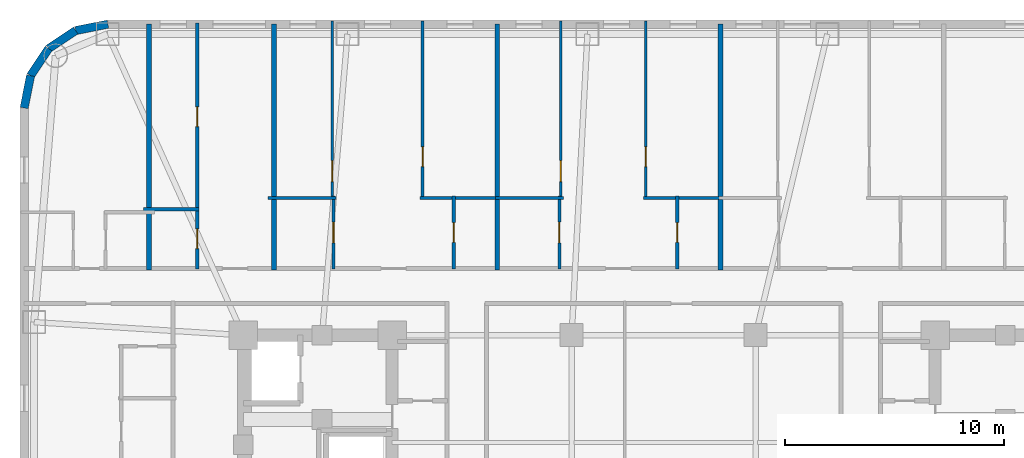
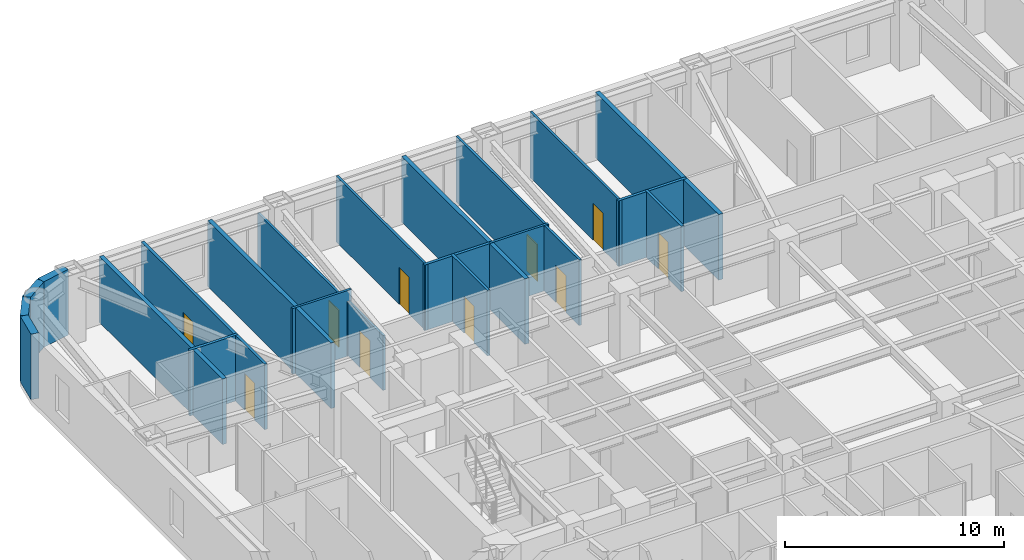
# One storey, part 12 of 16: 23 walls, 10 doors, 10 openings.
"""IFC4 building model written with IfcOpenShell, lengths in metres."""

import ifcopenshell
import ifcopenshell.guid

model = None  # the IFC model being written
_history = None  # IfcOwnerHistory: only IFC2X3 demands one
_inside = {}  # id of a spatial element -> (the spatial element, [elements in it])
_under = {}  # id of a project, library or spatial element -> (it, [spatial elements below it])
_declared = {}  # id of a project -> (the project, [libraries it declares])
_typed = {}  # id of a type object -> (the type object, [elements of that type])
_made_of = {}  # id of a material, layer set ... -> (it, [elements and type objects made of it])


def new_model(schema):
    """Start an empty IFC model of exactly this schema.

    Asked for "IFC4X3", IfcOpenShell would pick the latest addendum, in which some entities
    have other attributes; the version numbers below select the first issue.
    IFC2X3 requires an IfcOwnerHistory on every rooted entity: one is made here for all.
    """
    global model, _history
    if schema == "IFC4X3":
        model = ifcopenshell.file(schema_version=(4, 3, 0, 0))
    else:
        model = ifcopenshell.file(schema=schema)
    _inside.clear()
    _under.clear()
    _declared.clear()
    _typed.clear()
    _made_of.clear()
    _history = None
    if model.schema == "IFC2X3":
        org = make("IfcOrganization", Name="unknown")
        user = make(
            "IfcPersonAndOrganization",
            ThePerson=make("IfcPerson", FamilyName="unknown"),
            TheOrganization=org,
        )
        app = make(
            "IfcApplication",
            ApplicationDeveloper=org,
            Version="unknown",
            ApplicationFullName="unknown",
            ApplicationIdentifier="unknown",
        )
        _history = make(
            "IfcOwnerHistory",
            OwningUser=user,
            OwningApplication=app,
            ChangeAction="ADDED",
            CreationDate=0,
        )
    return model


def make(cls, **values):
    """One entity of the class cls with the attributes given. An attribute that is None is left unset."""
    return model.create_entity(
        cls, **{name: value for name, value in values.items() if value is not None}
    )


def rooted(cls, **values):
    """An entity with a GlobalId (a new one), such as an element, a storey or a relation."""
    return make(cls, GlobalId=ifcopenshell.guid.new(), OwnerHistory=_history, **values)


def si_unit(unit_type, name, prefix=None):
    """IfcSIUnit, for example si_unit("LENGTHUNIT", "METRE", prefix="MILLI")."""
    return make("IfcSIUnit", UnitType=unit_type, Prefix=prefix, Name=name)


def assignment(units):
    """IfcUnitAssignment: the units of a project."""
    return None if units is None else make("IfcUnitAssignment", Units=units)


def point(xyz):
    """IfcCartesianPoint."""
    return None if xyz is None else make("IfcCartesianPoint", Coordinates=xyz)


def direction(xyz):
    """IfcDirection."""
    return None if xyz is None else make("IfcDirection", DirectionRatios=xyz)


def frame(location, z_axis=None, x_axis=None):
    """IfcAxis2Placement3D, a coordinate frame: its origin and axes. An axis left out is left unset."""
    return make(
        "IfcAxis2Placement3D",
        Location=point(location),
        Axis=direction(z_axis),
        RefDirection=direction(x_axis),
    )


def frame_2d(location, x_axis=None):
    """IfcAxis2Placement2D, a coordinate frame in the plane: its origin and x axis."""
    return make(
        "IfcAxis2Placement2D", Location=point(location), RefDirection=direction(x_axis)
    )


def origin():
    """The frame at (0, 0, 0) with its axes left unset."""
    return frame((0.0, 0.0, 0.0))


def place(relative_to, where):
    """IfcLocalPlacement: puts the frame where relative to a parent placement (None: the world)."""
    return make(
        "IfcLocalPlacement", PlacementRelTo=relative_to, RelativePlacement=where
    )


def context(
    kind, dimensions, precision=None, world=None, true_north=None, identifier=None
):
    """IfcGeometricRepresentationContext, for example the 3D "Model" context."""
    return make(
        "IfcGeometricRepresentationContext",
        ContextIdentifier=identifier,
        ContextType=kind,
        CoordinateSpaceDimension=dimensions,
        Precision=precision,
        WorldCoordinateSystem=world,
        TrueNorth=true_north,
    )


def subcontext(parent, identifier, kind, view, scale=None):
    """IfcGeometricRepresentationSubContext, for example "Body" below "Model"."""
    return make(
        "IfcGeometricRepresentationSubContext",
        ContextIdentifier=identifier,
        ContextType=kind,
        ParentContext=parent,
        TargetScale=scale,
        TargetView=view,
    )


def project(units=None, contexts=None):
    """IfcProject with its units and contexts."""
    return rooted(
        "IfcProject",
        Name="project",
        RepresentationContexts=contexts,
        UnitsInContext=assignment(units),
    )


def spatial(cls, under=None, at=None, **own):
    """A site, building, storey or space (cls), placed at a placement, below another one or the project."""
    s = rooted(cls, ObjectPlacement=at, **own)
    if under is not None:
        _under.setdefault(under.id(), (under, []))[1].append(s)
    return s


def profile(cls, at=None, kind="AREA", **sizes):
    """A parametric profile (cls). Its sizes go by their IFC names, for example OverallWidth=200.0."""
    return make(cls, ProfileType=kind, Position=at, **sizes)


def rectangle(**sizes):
    """IfcRectangleProfileDef."""
    return profile("IfcRectangleProfileDef", **sizes)


def extrude(swept, where, along, depth):
    """IfcExtrudedAreaSolid: the profile swept, set in the frame where, extruded along a direction by depth."""
    return make(
        "IfcExtrudedAreaSolid",
        SweptArea=swept,
        Position=where,
        ExtrudedDirection=direction(along),
        Depth=depth,
    )


def shape(context_of_items, identifier, shape_type, items):
    """IfcShapeRepresentation: the items that make up one representation, for example the "Body"."""
    return make(
        "IfcShapeRepresentation",
        ContextOfItems=context_of_items,
        RepresentationIdentifier=identifier,
        RepresentationType=shape_type,
        Items=items,
    )


def material(Name=None, Category=None):
    """IfcMaterial."""
    return make("IfcMaterial", Name=Name, Category=Category)


def layer(
    of_material, thickness, ventilated=None, Name=None, Category=None, Priority=None
):
    """IfcMaterialLayer: one layer of a wall or slab, of a material (None: an air gap)."""
    return make(
        "IfcMaterialLayer",
        Material=of_material,
        LayerThickness=thickness,
        IsVentilated=ventilated,
        Name=Name,
        Category=Category,
        Priority=Priority,
    )


def layer_set(layers, Name=None):
    """IfcMaterialLayerSet."""
    return make("IfcMaterialLayerSet", MaterialLayers=layers, LayerSetName=Name)


def made_of(thing, what):
    """Note that an element or type object is made of a material, layer set ...; save() writes the relation."""
    if what is not None:
        _made_of.setdefault(what.id(), (what, []))[1].append(thing)
    return thing


def type_object(cls, material=None, **own):
    """A type object (cls), such as IfcWallType, which elements share."""
    return made_of(rooted(cls, **own), material)


def element(
    cls,
    number,
    at=None,
    inside=None,
    cuts=None,
    type_object=None,
    material=None,
    context=None,
    identifier="Body",
    shape_type=None,
    held_by="IfcProductDefinitionShape",
    body=None,
    shapes=None,
    **own,
):
    """One element of the class cls, such as IfcWall. Its Tag is "e" and its number.

    at: its placement. inside: the storey or other place that contains it. cuts: it is an
    opening in that element (IfcRelVoidsElement). A single representation is given by context,
    identifier, shape_type and body (its items); several are given by shapes. held_by: the class
    of the entity that holds the representations. save() writes the other relations.
    """
    e = rooted(cls, Tag="e%d" % number, ObjectPlacement=at, **own)
    if body is not None:
        shapes = [shape(context, identifier, shape_type, body)]
    if shapes is not None:
        e.Representation = make(held_by, Representations=shapes)
    if inside is not None:
        _inside.setdefault(inside.id(), (inside, []))[1].append(e)
    if cuts is not None:
        rooted(
            "IfcRelVoidsElement", RelatingBuildingElement=cuts, RelatedOpeningElement=e
        )
    if type_object is not None:
        _typed.setdefault(type_object.id(), (type_object, []))[1].append(e)
    return made_of(e, material)


def fill(opening, filler):
    """IfcRelFillsElement: the door or window that sits in an opening."""
    return rooted(
        "IfcRelFillsElement",
        RelatingOpeningElement=opening,
        RelatedBuildingElement=filler,
    )


def aggregate(whole, parts):
    """IfcRelAggregates: a whole, such as a stair, and the parts it consists of."""
    return rooted("IfcRelAggregates", RelatingObject=whole, RelatedObjects=parts)


def save(model, path):
    """Write the relations noted so far, then the file.

    IfcRelAggregates (storeys below a building ...), IfcRelContainedInSpatialStructure (elements
    in a storey), IfcRelDefinesByType, IfcRelAssociatesMaterial and IfcRelDeclares: one each for
    every whole, place, type object, material and project.
    """
    for whole, parts in _under.values():
        aggregate(whole, parts)
    for where, things in _inside.values():
        rooted(
            "IfcRelContainedInSpatialStructure",
            RelatedElements=things,
            RelatingStructure=where,
        )
    for kind, things in _typed.values():
        rooted("IfcRelDefinesByType", RelatedObjects=things, RelatingType=kind)
    for what, things in _made_of.values():
        rooted("IfcRelAssociatesMaterial", RelatedObjects=things, RelatingMaterial=what)
    for by, libraries in _declared.values():
        rooted("IfcRelDeclares", RelatingContext=by, RelatedDefinitions=libraries)
    model.write(path)


model = new_model("IFC4")

# Units and contexts
model_context = context("Model", 3, precision=1e-05, world=origin(), true_north=direction((0.0, 1.0)))
body_context = subcontext(model_context, "Body", "Model", "MODEL_VIEW")
ifc_project = project(units=[si_unit("LENGTHUNIT", "METRE"), si_unit("AREAUNIT", "SQUARE_METRE"), si_unit("VOLUMEUNIT", "CUBIC_METRE"), si_unit("PLANEANGLEUNIT", "RADIAN"), si_unit("MASSUNIT", "GRAM", prefix="KILO")], contexts=[model_context])

# Site, building, storey
site_placement = place(None, origin())
site = spatial("IfcSite", under=ifc_project, at=site_placement, CompositionType="ELEMENT")
building_placement = place(site_placement, origin())
building = spatial("IfcBuilding", under=site, at=building_placement, Name="Voryun Gate Residences", CompositionType="ELEMENT")
storey_placement = place(building_placement, frame((0.0, 0.0, 93.60009765625)))
storey = spatial("IfcBuildingStorey", under=building, at=storey_placement, Name="L22", CompositionType="ELEMENT", Elevation=93.60009765625)

# Walls
ifc_material_1 = material(Name="Granite masonry", Category="masonry")
ifc_layer_1 = layer(ifc_material_1, 0.3798828125, Name="W_EXT_GRANITE_380")
ifc_layer_set_1 = layer_set([ifc_layer_1], Name="Granite masonry")
wall_type_1 = type_object("IfcWallType", Name="W_EXT_GRANITE_380", PredefinedType="ELEMENTEDWALL", material=ifc_layer_set_1)
wall_1_placement = place(storey_placement, frame((-29.2099609375, 17.78125, 0.0), z_axis=(0.0, 0.0, 1.0), x_axis=(0.195086038585, 0.980786132421, 0.0)))
element("IfcWall", 1, at=wall_1_placement, inside=storey, type_object=wall_type_1, Name="Exterior wall WEXT-L22-07", PredefinedType="ELEMENTEDWALL", context=body_context, shape_type="SweptSolid", body=[
    extrude(rectangle(XDim=1.504150390625, YDim=0.3798828125, at=frame_2d((0.751953125, 0.0))), origin(), (0.0, 0.0, 1.0), 3.64990234375),
])
wall_2_placement = place(storey_placement, frame((-28.91650390625, 19.256591796875, 0.0), z_axis=(0.0, 0.0, 1.0), x_axis=(0.555610286119, 0.831442848281, 0.0)))
element("IfcWall", 2, at=wall_2_placement, inside=storey, type_object=wall_type_1, Name="Exterior wall WEXT-L22-08", PredefinedType="ELEMENTEDWALL", context=body_context, shape_type="SweptSolid", body=[
    extrude(rectangle(XDim=1.485107421875, YDim=0.3798828125, at=frame_2d((0.74267578125, 0.0))), origin(), (0.0, 0.0, 1.0), 3.64990234375),
])
wall_3_placement = place(storey_placement, frame((-28.09130859375, 20.491455078125, 0.0), z_axis=(0.0, 0.0, 1.0), x_axis=(0.831468045563, 0.555572577804, 0.0)))
element("IfcWall", 3, at=wall_3_placement, inside=storey, type_object=wall_type_1, Name="Exterior wall WEXT-L22-09", PredefinedType="ELEMENTEDWALL", context=body_context, shape_type="SweptSolid", body=[
    extrude(rectangle(XDim=1.48486328125, YDim=0.3798828125, at=frame_2d((0.742431640625, 0.0))), origin(), (0.0, 0.0, 1.0), 3.64990234375),
])
wall_4_placement = place(storey_placement, frame((-26.856689453125, 21.31640625, 0.0), z_axis=(0.0, 0.0, 1.0), x_axis=(0.980755066645, 0.195242155415, 0.0)))
element("IfcWall", 4, at=wall_4_placement, inside=storey, type_object=wall_type_1, Name="Exterior wall WEXT-L22-10", PredefinedType="ELEMENTEDWALL", context=body_context, shape_type="SweptSolid", body=[
    extrude(rectangle(XDim=1.50439453125, YDim=0.3798828125, at=frame_2d((0.752197265625, 0.0))), origin(), (0.0, 0.0, 1.0), 3.64990234375),
])
ifc_material_2 = material(Name="Concrete C40/50", Category="concrete")
ifc_layer_2 = layer(ifc_material_2, 0.219970703125, Name="W_PARTY_ACOUSTIC_220")
ifc_layer_set_2 = layer_set([ifc_layer_2], Name="Concrete C40/50")
wall_type_2 = type_object("IfcWallType", Name="W_PARTY_ACOUSTIC_220", PredefinedType="PARTITIONING", material=ifc_layer_set_2)
for number, where, z_axis, x_axis, name in (
    (5, (-23.509033203125, 10.3701171875, 0.0), (0.0, 0.0, 1.0), (0.0, 1.0, 0.0), "Partition wall WP-L22-NPTY-1"),
    (6, (-17.800048828125, 10.3701171875, 0.0), (0.0, 0.0, 1.0), (0.0, 1.0, 0.0), "Partition wall WP-L22-NPTY-2"),
    (7, (-7.60009765625, 10.3701171875, 0.0), (0.0, 0.0, 1.0), (0.0, 1.0, 0.0), "Partition wall WP-L22-NPTY-3"),
    (8, (2.60009765625, 10.3701171875, 0.0), (0.0, 0.0, 1.0), (0.0, 1.0, 0.0), "Partition wall WP-L22-NPTY-4"),
):
    element("IfcWall", number, at=place(storey_placement, frame(where, z_axis=z_axis, x_axis=x_axis)), inside=storey, type_object=wall_type_2, Name=name, PredefinedType="PARTITIONING", context=body_context, shape_type="SweptSolid", body=[
        extrude(rectangle(XDim=11.239990234375, YDim=0.219970703125, at=frame_2d((5.6201171875, 0.0))), origin(), (0.0, 0.0, 1.0), 3.64990234375),
    ])

# Wall, opening, door
ifc_material_3 = material(Name="Gypsum acoustic partition")
ifc_layer_3 = layer(ifc_material_3, 0.125, Name="W_UNIT_PART_125")
ifc_layer_set_3 = layer_set([ifc_layer_3], Name="Gypsum acoustic partition")
wall_type_3 = type_object("IfcWallType", Name="W_UNIT_PART_125", PredefinedType="PARTITIONING", material=ifc_layer_set_3)
wall_5_placement = place(storey_placement, frame((-15.138916015625, 13.590087890625, 0.0), z_axis=(0.0, 0.0, 1.0), x_axis=(0.0, 1.0, 0.0)))
wall_5 = element("IfcWall", 9, at=wall_5_placement, inside=storey, type_object=wall_type_3, Name="Partition wall WP-L22-N3-OVL", PredefinedType="PARTITIONING", context=body_context, shape_type="SweptSolid", body=[
    extrude(rectangle(XDim=8.169921875, YDim=0.125, at=frame_2d((4.0849609375, 0.0))), origin(), (0.0, 0.0, 1.0), 3.039794921875),
])
opening_1_placement = place(wall_5_placement, frame((0.832275390625, 0.0, 0.0)))
opening_1 = element("IfcOpeningElement", 10, at=opening_1_placement, cuts=wall_5, Name="Opening D-INT-1", PredefinedType="OPENING", context=body_context, shape_type="SweptSolid", body=[
    extrude(rectangle(XDim=0.949951171875, YDim=2.050048828125, at=frame_2d((0.47509765625, 1.02490234375))), frame((0.0, 0.072509765625, 0.0), z_axis=(0.0, -1.0, 0.0), x_axis=(1.0, 0.0, 0.0)), (0.0, 0.0, 1.0), 0.14501953125),
])
ifc_material_4 = material(Name="Architectural oak veneer")
door_type_1 = type_object("IfcDoorType", Name="DR_INT_ROOM_950", OperationType="NOTDEFINED", PredefinedType="DOOR", material=ifc_material_4)
door_1_placement = place(opening_1_placement, origin())
door_1 = element("IfcDoor", 11, at=door_1_placement, inside=storey, type_object=door_type_1, Name="Door DR-L22-N3-DB2", OperationType="SINGLE_SWING_LEFT", OverallHeight=2.050048828125, OverallWidth=0.949951171875, PredefinedType="DOOR", context=body_context, shape_type="SweptSolid", body=[
    extrude(rectangle(XDim=0.949951171875, YDim=2.050048828125, at=frame_2d((0.47509765625, 1.02490234375))), frame((0.0, 0.02490234375, 0.0), z_axis=(0.0, -1.0, 0.0), x_axis=(1.0, 0.0, 0.0)), (0.0, 0.0, 1.0), 0.050048828125),
])
fill(opening_1, door_1)

wall_6_placement = place(storey_placement, frame((-11.010009765625, 13.590087890625, 0.0), z_axis=(0.0, 0.0, 1.0), x_axis=(0.0, 1.0, 0.0)))
wall_6 = element("IfcWall", 12, at=wall_6_placement, inside=storey, type_object=wall_type_3, Name="Partition wall WP-L22-N3-OVR", PredefinedType="PARTITIONING", context=body_context, shape_type="SweptSolid", body=[
    extrude(rectangle(XDim=8.169921875, YDim=0.125, at=frame_2d((4.0849609375, 0.0))), origin(), (0.0, 0.0, 1.0), 3.64990234375),
])
opening_2_placement = place(wall_6_placement, frame((1.5107421875, 0.0, 0.0)))
opening_2 = element("IfcOpeningElement", 13, at=opening_2_placement, cuts=wall_6, Name="Opening D-INT-2", PredefinedType="OPENING", context=body_context, shape_type="SweptSolid", body=[
    extrude(rectangle(XDim=0.89990234375, YDim=2.050048828125, at=frame_2d((0.449951171875, 1.02490234375))), frame((0.0, 0.072509765625, 0.0), z_axis=(0.0, -1.0, 0.0), x_axis=(1.0, 0.0, 0.0)), (0.0, 0.0, 1.0), 0.14501953125),
])
ifc_material_5 = material(Name="Architectural oak veneer")
door_type_2 = type_object("IfcDoorType", Name="DR_INT_BATH_900", OperationType="NOTDEFINED", PredefinedType="DOOR", material=ifc_material_5)
door_2_placement = place(opening_2_placement, origin())
door_2 = element("IfcDoor", 14, at=door_2_placement, inside=storey, type_object=door_type_2, Name="Door DR-L22-N3-DMB", OperationType="SINGLE_SWING_RIGHT", OverallHeight=2.050048828125, OverallWidth=0.89990234375, PredefinedType="DOOR", context=body_context, shape_type="SweptSolid", body=[
    extrude(rectangle(XDim=0.89990234375, YDim=2.050048828125, at=frame_2d((0.449951171875, 1.02490234375))), frame((0.0, 0.02490234375, 0.0), z_axis=(0.0, -1.0, 0.0), x_axis=(1.0, 0.0, 0.0)), (0.0, 0.0, 1.0), 0.050048828125),
])
fill(opening_2, door_2)

wall_7_placement = place(storey_placement, frame((-15.0791015625, 10.429931640625, 0.0), z_axis=(0.0, 0.0, 1.0), x_axis=(0.0, 1.0, 0.0)))
wall_7 = element("IfcWall", 15, at=wall_7_placement, inside=storey, type_object=wall_type_3, Name="Partition wall WP-L22-N3-IVK", PredefinedType="PARTITIONING", context=body_context, shape_type="SweptSolid", body=[
    extrude(rectangle(XDim=3.320068359375, YDim=0.125, at=frame_2d((1.66015625, 0.0))), origin(), (0.0, 0.0, 1.0), 3.039794921875),
])
opening_3_placement = place(wall_7_placement, frame((1.18505859375, 0.0, 0.0)))
opening_3 = element("IfcOpeningElement", 16, at=opening_3_placement, cuts=wall_7, Name="Opening D-INT-1", PredefinedType="OPENING", context=body_context, shape_type="SweptSolid", body=[
    extrude(rectangle(XDim=0.949951171875, YDim=2.050048828125, at=frame_2d((0.47509765625, 1.02490234375))), frame((0.0, 0.072509765625, 0.0), z_axis=(0.0, -1.0, 0.0), x_axis=(1.0, 0.0, 0.0)), (0.0, 0.0, 1.0), 0.14501953125),
])
door_3_placement = place(opening_3_placement, origin())
door_3 = element("IfcDoor", 17, at=door_3_placement, inside=storey, type_object=door_type_1, Name="Door DR-L22-N3-DK", OperationType="SINGLE_SWING_LEFT", OverallHeight=2.050048828125, OverallWidth=0.949951171875, PredefinedType="DOOR", context=body_context, shape_type="SweptSolid", body=[
    extrude(rectangle(XDim=0.949951171875, YDim=2.050048828125, at=frame_2d((0.47509765625, 1.02490234375))), frame((0.0, 0.02490234375, 0.0), z_axis=(0.0, -1.0, 0.0), x_axis=(1.0, 0.0, 0.0)), (0.0, 0.0, 1.0), 0.050048828125),
])
fill(opening_3, door_3)

# Wall
wall_8_placement = place(storey_placement, frame((-18.06005859375, 13.669921875, 0.0), z_axis=(0.0, 0.0, 1.0), x_axis=(1.0, 0.0, 0.0)))
element("IfcWall", 18, at=wall_8_placement, inside=storey, type_object=wall_type_3, Name="Partition wall WP-L22-N3-HZK", PredefinedType="PARTITIONING", context=body_context, shape_type="SweptSolid", body=[
    extrude(rectangle(XDim=3.10107421875, YDim=0.125, at=frame_2d((1.550537109375, 0.0))), origin(), (0.0, 0.0, 1.0), 3.64990234375),
])

# Wall, opening, door
wall_9_placement = place(storey_placement, frame((-4.697021484375, 13.590087890625, 0.0), z_axis=(0.0, 0.0, 1.0), x_axis=(0.0, 1.0, 0.0)))
wall_9 = element("IfcWall", 19, at=wall_9_placement, inside=storey, type_object=wall_type_3, Name="Partition wall WP-L22-N4-OVL", PredefinedType="PARTITIONING", context=body_context, shape_type="SweptSolid", body=[
    extrude(rectangle(XDim=8.169921875, YDim=0.125, at=frame_2d((4.0849609375, 0.0))), origin(), (0.0, 0.0, 1.0), 3.64990234375),
])
opening_4_placement = place(wall_9_placement, frame((0.832275390625, 0.0, 0.0)))
opening_4 = element("IfcOpeningElement", 20, at=opening_4_placement, cuts=wall_9, Name="Opening D-INT-1", PredefinedType="OPENING", context=body_context, shape_type="SweptSolid", body=[
    extrude(rectangle(XDim=0.949951171875, YDim=2.050048828125, at=frame_2d((0.47509765625, 1.02490234375))), frame((0.0, 0.072509765625, 0.0), z_axis=(0.0, -1.0, 0.0), x_axis=(1.0, 0.0, 0.0)), (0.0, 0.0, 1.0), 0.14501953125),
])
door_4_placement = place(opening_4_placement, origin())
door_4 = element("IfcDoor", 21, at=door_4_placement, inside=storey, type_object=door_type_1, Name="Door DR-L22-N4-DB2", OperationType="SINGLE_SWING_LEFT", OverallHeight=2.050048828125, OverallWidth=0.949951171875, PredefinedType="DOOR", context=body_context, shape_type="SweptSolid", body=[
    extrude(rectangle(XDim=0.949951171875, YDim=2.050048828125, at=frame_2d((0.47509765625, 1.02490234375))), frame((0.0, 0.02490234375, 0.0), z_axis=(0.0, -1.0, 0.0), x_axis=(1.0, 0.0, 0.0)), (0.0, 0.0, 1.0), 0.050048828125),
])
fill(opening_4, door_4)

wall_10_placement = place(storey_placement, frame((-0.81005859375, 13.590087890625, 0.0), z_axis=(0.0, 0.0, 1.0), x_axis=(0.0, 1.0, 0.0)))
wall_10 = element("IfcWall", 22, at=wall_10_placement, inside=storey, type_object=wall_type_3, Name="Partition wall WP-L22-N4-OVR", PredefinedType="PARTITIONING", context=body_context, shape_type="SweptSolid", body=[
    extrude(rectangle(XDim=8.169921875, YDim=0.125, at=frame_2d((4.0849609375, 0.0))), origin(), (0.0, 0.0, 1.0), 3.64990234375),
])
opening_5_placement = place(wall_10_placement, frame((1.5107421875, 0.0, 0.0)))
opening_5 = element("IfcOpeningElement", 23, at=opening_5_placement, cuts=wall_10, Name="Opening D-INT-2", PredefinedType="OPENING", context=body_context, shape_type="SweptSolid", body=[
    extrude(rectangle(XDim=0.89990234375, YDim=2.050048828125, at=frame_2d((0.449951171875, 1.02490234375))), frame((0.0, 0.072509765625, 0.0), z_axis=(0.0, -1.0, 0.0), x_axis=(1.0, 0.0, 0.0)), (0.0, 0.0, 1.0), 0.14501953125),
])
door_5_placement = place(opening_5_placement, origin())
door_5 = element("IfcDoor", 24, at=door_5_placement, inside=storey, type_object=door_type_2, Name="Door DR-L22-N4-DMB", OperationType="SINGLE_SWING_RIGHT", OverallHeight=2.050048828125, OverallWidth=0.89990234375, PredefinedType="DOOR", context=body_context, shape_type="SweptSolid", body=[
    extrude(rectangle(XDim=0.89990234375, YDim=2.050048828125, at=frame_2d((0.449951171875, 1.02490234375))), frame((0.0, 0.02490234375, 0.0), z_axis=(0.0, -1.0, 0.0), x_axis=(1.0, 0.0, 0.0)), (0.0, 0.0, 1.0), 0.050048828125),
])
fill(opening_5, door_5)

wall_11_placement = place(storey_placement, frame((-4.758056640625, 10.429931640625, 0.0), z_axis=(0.0, 0.0, 1.0), x_axis=(0.0, 1.0, 0.0)))
wall_11 = element("IfcWall", 25, at=wall_11_placement, inside=storey, type_object=wall_type_3, Name="Partition wall WP-L22-N4-IVK", PredefinedType="PARTITIONING", context=body_context, shape_type="SweptSolid", body=[
    extrude(rectangle(XDim=3.320068359375, YDim=0.125, at=frame_2d((1.66015625, 0.0))), origin(), (0.0, 0.0, 1.0), 3.64990234375),
])
opening_6_placement = place(wall_11_placement, frame((1.18505859375, 0.0, 0.0)))
opening_6 = element("IfcOpeningElement", 26, at=opening_6_placement, cuts=wall_11, Name="Opening D-INT-1", PredefinedType="OPENING", context=body_context, shape_type="SweptSolid", body=[
    extrude(rectangle(XDim=0.949951171875, YDim=2.050048828125, at=frame_2d((0.47509765625, 1.02490234375))), frame((0.0, 0.072509765625, 0.0), z_axis=(0.0, -1.0, 0.0), x_axis=(1.0, 0.0, 0.0)), (0.0, 0.0, 1.0), 0.14501953125),
])
door_6_placement = place(opening_6_placement, origin())
door_6 = element("IfcDoor", 27, at=door_6_placement, inside=storey, type_object=door_type_1, Name="Door DR-L22-N4-DK", OperationType="SINGLE_SWING_LEFT", OverallHeight=2.050048828125, OverallWidth=0.949951171875, PredefinedType="DOOR", context=body_context, shape_type="SweptSolid", body=[
    extrude(rectangle(XDim=0.949951171875, YDim=2.050048828125, at=frame_2d((0.47509765625, 1.02490234375))), frame((0.0, 0.02490234375, 0.0), z_axis=(0.0, -1.0, 0.0), x_axis=(1.0, 0.0, 0.0)), (0.0, 0.0, 1.0), 0.050048828125),
])
fill(opening_6, door_6)

# Walls
wall_12_placement = place(storey_placement, frame((-7.675048828125, 13.669921875, 0.0), z_axis=(0.0, 0.0, 1.0), x_axis=(1.0, 0.0, 0.0)))
element("IfcWall", 28, at=wall_12_placement, inside=storey, type_object=wall_type_3, Name="Partition wall WP-L22-N4-HZK", PredefinedType="PARTITIONING", context=body_context, shape_type="SweptSolid", body=[
    extrude(rectangle(XDim=3.09814453125, YDim=0.125, at=frame_2d((1.549072265625, 0.0))), origin(), (0.0, 0.0, 1.0), 3.64990234375),
])
ifc_material_6 = material(Name="Gypsum moisture-resistant partition")
ifc_layer_4 = layer(ifc_material_6, 0.14990234375, Name="W_WET_PLUMB_150")
ifc_layer_set_4 = layer_set([ifc_layer_4], Name="Gypsum moisture-resistant partition")
wall_type_4 = type_object("IfcWallType", Name="W_WET_PLUMB_150", PredefinedType="PLUMBINGWALL", material=ifc_layer_set_4)
wall_13_placement = place(storey_placement, frame((-23.76904296875, 13.14990234375, 0.0), z_axis=(0.0, 0.0, 1.0), x_axis=(1.0, 0.0, 0.0)))
element("IfcWall", 29, at=wall_13_placement, inside=storey, type_object=wall_type_4, Name="Partition wall WP-L22-N2-SKB", PredefinedType="PLUMBINGWALL", context=body_context, shape_type="SweptSolid", body=[
    extrude(rectangle(XDim=2.550048828125, YDim=0.14990234375, at=frame_2d((1.27490234375, 0.0))), origin(), (0.0, 0.0, 1.0), 3.64990234375),
])

# Wall, opening, door
wall_14_placement = place(storey_placement, frame((-21.299072265625, 10.429931640625, 0.0), z_axis=(0.0, 0.0, 1.0), x_axis=(0.0, 1.0, 0.0)))
wall_14 = element("IfcWall", 30, at=wall_14_placement, inside=storey, type_object=wall_type_4, Name="Partition wall WP-L22-N2-SVT1", PredefinedType="PLUMBINGWALL", context=body_context, shape_type="SweptSolid", body=[
    extrude(rectangle(XDim=2.760009765625, YDim=0.14990234375, at=frame_2d((1.3798828125, 0.0))), origin(), (0.0, 0.0, 1.0), 3.64990234375),
])
opening_7_placement = place(wall_14_placement, frame((0.929931640625, 0.0, 0.0)))
opening_7 = element("IfcOpeningElement", 31, at=opening_7_placement, cuts=wall_14, Name="Opening D-INT-2", PredefinedType="OPENING", context=body_context, shape_type="SweptSolid", body=[
    extrude(rectangle(XDim=0.89990234375, YDim=2.050048828125, at=frame_2d((0.449951171875, 1.02490234375))), frame((0.0, 0.0849609375, 0.0), z_axis=(0.0, -1.0, 0.0), x_axis=(1.0, 0.0, 0.0)), (0.0, 0.0, 1.0), 0.169921875),
])
door_7_placement = place(opening_7_placement, origin())
door_7 = element("IfcDoor", 32, at=door_7_placement, inside=storey, type_object=door_type_2, Name="Door DR-L22-N2-DB", OperationType="SINGLE_SWING_LEFT", OverallHeight=2.050048828125, OverallWidth=0.89990234375, PredefinedType="DOOR", context=body_context, shape_type="SweptSolid", body=[
    extrude(rectangle(XDim=0.89990234375, YDim=2.050048828125, at=frame_2d((0.449951171875, 1.02490234375))), frame((0.0, 0.02490234375, 0.0), z_axis=(0.0, -1.0, 0.0), x_axis=(1.0, 0.0, 0.0)), (0.0, 0.0, 1.0), 0.050048828125),
])
fill(opening_7, door_7)

wall_15_placement = place(storey_placement, frame((-21.299072265625, 13.110107421875, 0.0), z_axis=(0.0, 0.0, 1.0), x_axis=(0.0, 1.0, 0.0)))
wall_15 = element("IfcWall", 33, at=wall_15_placement, inside=storey, type_object=wall_type_4, Name="Partition wall WP-L22-N2-SVT2", PredefinedType="PLUMBINGWALL", context=body_context, shape_type="SweptSolid", body=[
    extrude(rectangle(XDim=8.547607421875, YDim=0.14990234375, at=frame_2d((4.27392578125, 0.0))), origin(), (0.0, 0.0, 1.0), 3.64990234375),
])
opening_8_placement = place(wall_15_placement, frame((3.82373046875, 0.0, 0.0)))
opening_8 = element("IfcOpeningElement", 34, at=opening_8_placement, cuts=wall_15, Name="Opening D-INT-2", PredefinedType="OPENING", context=body_context, shape_type="SweptSolid", body=[
    extrude(rectangle(XDim=0.89990234375, YDim=2.050048828125, at=frame_2d((0.449951171875, 1.02490234375))), frame((0.0, 0.0849609375, 0.0), z_axis=(0.0, -1.0, 0.0), x_axis=(1.0, 0.0, 0.0)), (0.0, 0.0, 1.0), 0.169921875),
])
door_8_placement = place(opening_8_placement, origin())
door_8 = element("IfcDoor", 35, at=door_8_placement, inside=storey, type_object=door_type_2, Name="Door DR-L22-N2-DK", OperationType="SINGLE_SWING_RIGHT", OverallHeight=2.050048828125, OverallWidth=0.89990234375, PredefinedType="DOOR", context=body_context, shape_type="SweptSolid", body=[
    extrude(rectangle(XDim=0.89990234375, YDim=2.050048828125, at=frame_2d((0.449951171875, 1.02490234375))), frame((0.0, 0.02490234375, 0.0), z_axis=(0.0, -1.0, 0.0), x_axis=(1.0, 0.0, 0.0)), (0.0, 0.0, 1.0), 0.050048828125),
])
fill(opening_8, door_8)

# Wall
wall_16_placement = place(storey_placement, frame((-11.1298828125, 13.669921875, 0.0), z_axis=(0.0, 0.0, 1.0), x_axis=(1.0, 0.0, 0.0)))
element("IfcWall", 36, at=wall_16_placement, inside=storey, type_object=wall_type_4, Name="Partition wall WP-L22-N3-HZB", PredefinedType="PLUMBINGWALL", context=body_context, shape_type="SweptSolid", body=[
    extrude(rectangle(XDim=3.60498046875, YDim=0.14990234375, at=frame_2d((1.802490234375, 0.0))), origin(), (0.0, 0.0, 1.0), 3.64990234375),
])

# Wall, opening, door
wall_17_placement = place(storey_placement, frame((-9.580078125, 10.429931640625, 0.0), z_axis=(0.0, 0.0, 1.0), x_axis=(0.0, 1.0, 0.0)))
wall_17 = element("IfcWall", 37, at=wall_17_placement, inside=storey, type_object=wall_type_4, Name="Partition wall WP-L22-N3-IVB", PredefinedType="PLUMBINGWALL", context=body_context, shape_type="SweptSolid", body=[
    extrude(rectangle(XDim=3.320068359375, YDim=0.14990234375, at=frame_2d((1.66015625, 0.0))), origin(), (0.0, 0.0, 1.0), 3.64990234375),
])
opening_9_placement = place(wall_17_placement, frame((1.2099609375, 0.0, 0.0)))
opening_9 = element("IfcOpeningElement", 38, at=opening_9_placement, cuts=wall_17, Name="Opening D-INT-2", PredefinedType="OPENING", context=body_context, shape_type="SweptSolid", body=[
    extrude(rectangle(XDim=0.89990234375, YDim=2.050048828125, at=frame_2d((0.449951171875, 1.02490234375))), frame((0.0, 0.0849609375, 0.0), z_axis=(0.0, -1.0, 0.0), x_axis=(1.0, 0.0, 0.0)), (0.0, 0.0, 1.0), 0.169921875),
])
door_9_placement = place(opening_9_placement, origin())
door_9 = element("IfcDoor", 39, at=door_9_placement, inside=storey, type_object=door_type_2, Name="Door DR-L22-N3-DB", OperationType="SINGLE_SWING_RIGHT", OverallHeight=2.050048828125, OverallWidth=0.89990234375, PredefinedType="DOOR", context=body_context, shape_type="SweptSolid", body=[
    extrude(rectangle(XDim=0.89990234375, YDim=2.050048828125, at=frame_2d((0.449951171875, 1.02490234375))), frame((0.0, 0.02490234375, 0.0), z_axis=(0.0, -1.0, 0.0), x_axis=(1.0, 0.0, 0.0)), (0.0, 0.0, 1.0), 0.050048828125),
])
fill(opening_9, door_9)

# Wall
wall_18_placement = place(storey_placement, frame((-0.929931640625, 13.669921875, 0.0), z_axis=(0.0, 0.0, 1.0), x_axis=(1.0, 0.0, 0.0)))
element("IfcWall", 40, at=wall_18_placement, inside=storey, type_object=wall_type_4, Name="Partition wall WP-L22-N4-HZB", PredefinedType="PLUMBINGWALL", context=body_context, shape_type="SweptSolid", body=[
    extrude(rectangle(XDim=3.60498046875, YDim=0.14990234375, at=frame_2d((1.802490234375, 0.0))), origin(), (0.0, 0.0, 1.0), 3.64990234375),
])

# Wall, opening, door
wall_19_placement = place(storey_placement, frame((0.6201171875, 10.429931640625, 0.0), z_axis=(0.0, 0.0, 1.0), x_axis=(0.0, 1.0, 0.0)))
wall_19 = element("IfcWall", 41, at=wall_19_placement, inside=storey, type_object=wall_type_4, Name="Partition wall WP-L22-N4-IVB", PredefinedType="PLUMBINGWALL", context=body_context, shape_type="SweptSolid", body=[
    extrude(rectangle(XDim=3.320068359375, YDim=0.14990234375, at=frame_2d((1.66015625, 0.0))), origin(), (0.0, 0.0, 1.0), 3.64990234375),
])
opening_10_placement = place(wall_19_placement, frame((1.2099609375, 0.0, 0.0)))
opening_10 = element("IfcOpeningElement", 42, at=opening_10_placement, cuts=wall_19, Name="Opening D-INT-2", PredefinedType="OPENING", context=body_context, shape_type="SweptSolid", body=[
    extrude(rectangle(XDim=0.89990234375, YDim=2.050048828125, at=frame_2d((0.449951171875, 1.02490234375))), frame((0.0, 0.0849609375, 0.0), z_axis=(0.0, -1.0, 0.0), x_axis=(1.0, 0.0, 0.0)), (0.0, 0.0, 1.0), 0.169921875),
])
door_10_placement = place(opening_10_placement, origin())
door_10 = element("IfcDoor", 43, at=door_10_placement, inside=storey, type_object=door_type_2, Name="Door DR-L22-N4-DB", OperationType="SINGLE_SWING_RIGHT", OverallHeight=2.050048828125, OverallWidth=0.89990234375, PredefinedType="DOOR", context=body_context, shape_type="SweptSolid", body=[
    extrude(rectangle(XDim=0.89990234375, YDim=2.050048828125, at=frame_2d((0.449951171875, 1.02490234375))), frame((0.0, 0.02490234375, 0.0), z_axis=(0.0, -1.0, 0.0), x_axis=(1.0, 0.0, 0.0)), (0.0, 0.0, 1.0), 0.050048828125),
])
fill(opening_10, door_10)

save(model, "model.ifc")
